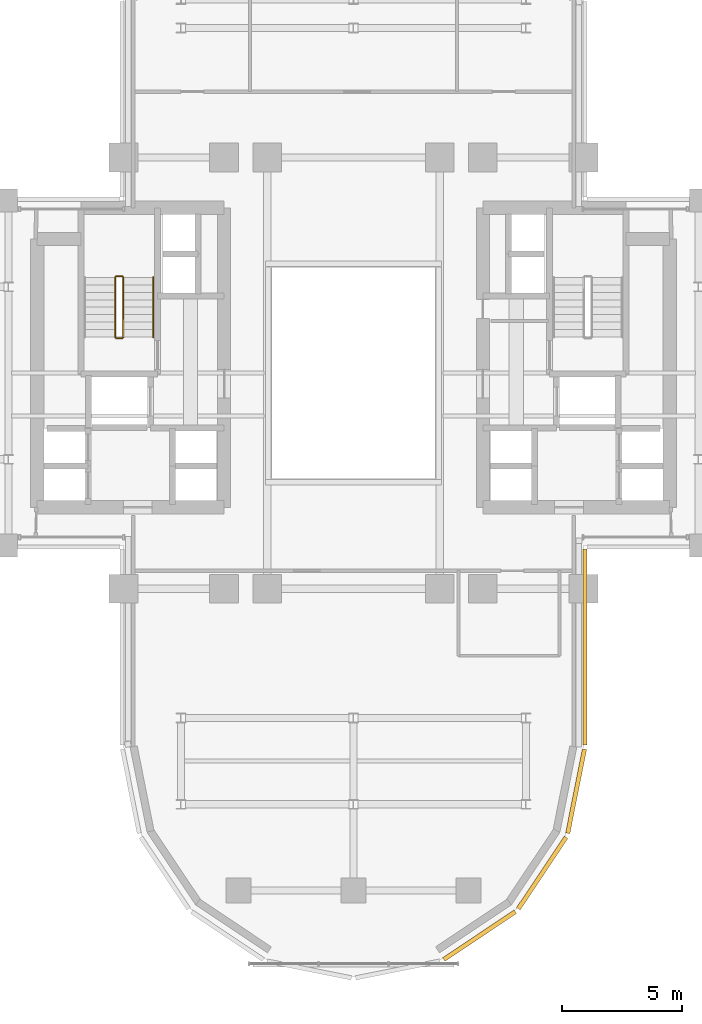
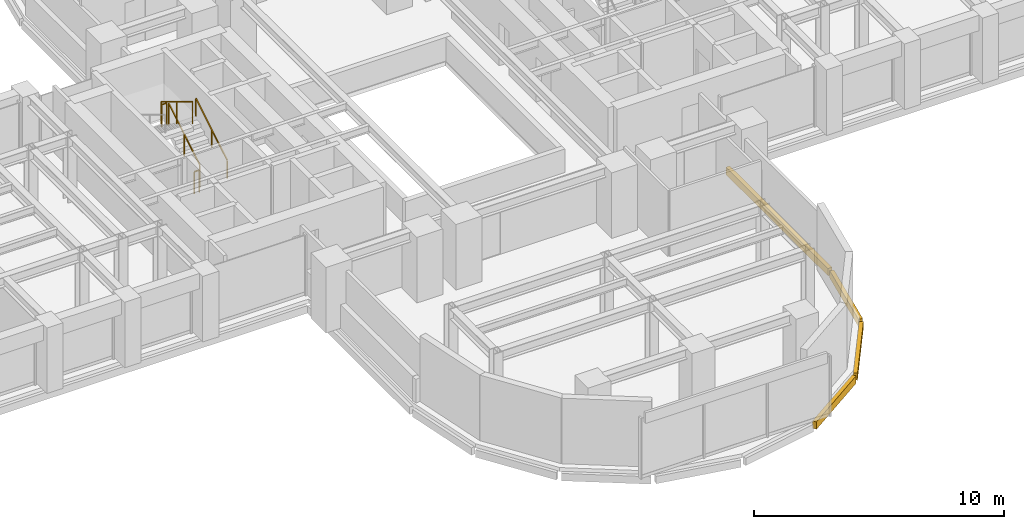
# One storey, part 14 of 16: 5 railings, 4 coverings.
"""IFC4 building model written with IfcOpenShell, lengths in metres."""

from ifc_helpers import new_model, si_unit, direction, frame, origin, origin_2d, place, context, subcontext, project, spatial, rectangle, extrude, source, transform, mapped, material, layer, layer_set, type_object, element, save


model = new_model("IFC4")

# Units and contexts
model_context = context("Model", 3, precision=1e-05, world=origin(), true_north=direction((0.0, 1.0)))
body_context = subcontext(model_context, "Body", "Model", "MODEL_VIEW")
ifc_project = project(units=[si_unit("LENGTHUNIT", "METRE"), si_unit("AREAUNIT", "SQUARE_METRE"), si_unit("VOLUMEUNIT", "CUBIC_METRE"), si_unit("PLANEANGLEUNIT", "RADIAN"), si_unit("MASSUNIT", "GRAM", prefix="KILO")], contexts=[model_context])

# Site, building, storey
site_placement = place(None, origin())
site = spatial("IfcSite", under=ifc_project, at=site_placement, CompositionType="ELEMENT")
building_placement = place(site_placement, origin())
building = spatial("IfcBuilding", under=site, at=building_placement, Name="Keilestroom Media Tower", CompositionType="ELEMENT")
storey_placement = place(building_placement, frame((0.0, 0.0, 68.0)))
storey = spatial("IfcBuildingStorey", under=building, at=storey_placement, Name="L17", CompositionType="ELEMENT", Elevation=68.0)

# Railings
ifc_material_1 = material(Name="Brushed Stainless Steel 1.4301", Category="steel")
railing_type_1 = type_object("IfcRailingType", Name="Stair-Pitch-Handrail-920", PredefinedType="HANDRAIL", material=ifc_material_1)
railing_1_placement = place(storey_placement, frame((-8.35009765625, 1.5, 0.18896484375)))
element("IfcRailing", 1, at=railing_1_placement, inside=storey, type_object=railing_type_1, Name="L17 ST-1 stair handrail 1", PredefinedType="HANDRAIL", context=body_context, shape_type="SweptSolid", body=[
    extrude(rectangle(XDim=0.048095703125, YDim=0.048095703125, at=origin_2d()), frame((0.0, 0.0, 0.8759765625), z_axis=(0.0, 0.855470815493, 0.517851024754), x_axis=(-1.0, 0.0, 0.0)), (0.0, 0.0, 1.0), 2.917724609375),
    extrude(rectangle(XDim=0.0419921875, YDim=0.0419921875, at=origin_2d()), origin(), (0.0, 0.0, 1.0), 0.84375),
    extrude(rectangle(XDim=0.0419921875, YDim=0.0419921875, at=origin_2d()), frame((0.0, 1.248046875, 0.75537109375)), (0.0, 0.0, 1.0), 0.84375),
    extrude(rectangle(XDim=0.0419921875, YDim=0.0419921875, at=origin_2d()), frame((0.0, 2.49609375, 1.510986328125)), (0.0, 0.0, 1.0), 0.84375),
])
ifc_material_2 = material(Name="Painted Steel Balustrade", Category="steel")
railing_type_2 = type_object("IfcRailingType", Name="Stair-Well-And-Landing-Guard-1100", PredefinedType="GUARDRAIL", material=ifc_material_2)
railing_2_placement = place(storey_placement, frame((-9.610107421875, 1.5, 0.18896484375)))
element("IfcRailing", 2, at=railing_2_placement, inside=storey, type_object=railing_type_2, Name="L17 ST-1 stair guard 1", PredefinedType="GUARDRAIL", context=body_context, shape_type="SweptSolid", body=[
    extrude(rectangle(XDim=0.048095703125, YDim=0.048095703125, at=origin_2d()), frame((0.0, 0.0, 1.076171875), z_axis=(0.0, 0.855470815493, 0.517851024754), x_axis=(-1.0, 0.0, 0.0)), (0.0, 0.0, 1.0), 2.917724609375),
    extrude(rectangle(XDim=0.0419921875, YDim=0.0419921875, at=origin_2d()), origin(), (0.0, 0.0, 1.0), 1.0439453125),
    extrude(rectangle(XDim=0.0419921875, YDim=0.0419921875, at=origin_2d()), frame((0.0, 1.248046875, 0.75537109375)), (0.0, 0.0, 1.0), 1.0439453125),
    extrude(rectangle(XDim=0.0419921875, YDim=0.0419921875, at=origin_2d()), frame((0.0, 2.49609375, 1.510986328125)), (0.0, 0.0, 1.0), 1.0439453125),
])
railing_3_placement = place(storey_placement, frame((-9.659912109375, 4.0458984375, 1.699951171875)))
element("IfcRailing", 3, at=railing_3_placement, inside=storey, type_object=railing_type_2, Name="L17 ST-1 stair guard 2", PredefinedType="GUARDRAIL", context=body_context, shape_type="SweptSolid", body=[
    extrude(rectangle(XDim=0.048095703125, YDim=0.048095703125, at=origin_2d()), frame((0.0, 0.0, 1.076171875), z_axis=(-1.0, 0.0, 0.0), x_axis=(0.0, -1.0, 0.0)), (0.0, 0.0, 1.0), 0.239990234375),
    extrude(rectangle(XDim=0.0419921875, YDim=0.0419921875, at=origin_2d()), origin(), (0.0, 0.0, 1.0), 1.0439453125),
    extrude(rectangle(XDim=0.0419921875, YDim=0.0419921875, at=origin_2d()), frame((-0.239990234375, 0.0, 0.0)), (0.0, 0.0, 1.0), 1.0439453125),
])
railing_4_placement = place(storey_placement, frame((-9.949951171875, 3.99609375, 1.888916015625)))
element("IfcRailing", 4, at=railing_4_placement, inside=storey, type_object=railing_type_2, Name="L17 ST-1 stair guard 3", PredefinedType="GUARDRAIL", context=body_context, shape_type="SweptSolid", body=[
    extrude(rectangle(XDim=0.048095703125, YDim=0.048095703125, at=origin_2d()), frame((0.0, 0.0, 1.076171875), z_axis=(0.0, -0.855470815493, 0.517851024754), x_axis=(1.0, 0.0, 0.0)), (0.0, 0.0, 1.0), 2.917724609375),
    extrude(rectangle(XDim=0.0419921875, YDim=0.0419921875, at=origin_2d()), origin(), (0.0, 0.0, 1.0), 1.0439453125),
    extrude(rectangle(XDim=0.0419921875, YDim=0.0419921875, at=origin_2d()), frame((0.0, -1.248046875, 0.75537109375)), (0.0, 0.0, 1.0), 1.0439453125),
    extrude(rectangle(XDim=0.0419921875, YDim=0.0419921875, at=origin_2d()), frame((0.0, -2.49609375, 1.510986328125)), (0.0, 0.0, 1.0), 1.0439453125),
])
railing_5_placement = place(storey_placement, frame((-9.659912109375, 1.449951171875, 0.0)))
element("IfcRailing", 5, at=railing_5_placement, inside=storey, type_object=railing_type_2, Name="L17 ST-1 stair guard 4", PredefinedType="GUARDRAIL", context=body_context, shape_type="SweptSolid", body=[
    extrude(rectangle(XDim=0.048095703125, YDim=0.048095703125, at=origin_2d()), frame((0.0, 0.0, 1.076171875), z_axis=(-1.0, 0.0, 0.0), x_axis=(0.0, -1.0, 0.0)), (0.0, 0.0, 1.0), 0.239990234375),
    extrude(rectangle(XDim=0.0419921875, YDim=0.0419921875, at=origin_2d()), origin(), (0.0, 0.0, 1.0), 1.0439453125),
    extrude(rectangle(XDim=0.0419921875, YDim=0.0419921875, at=origin_2d()), frame((-0.239990234375, 0.0, 0.0)), (0.0, 0.0, 1.0), 1.0439453125),
])

# Coverings
ifc_material_3 = material(Name="Precast concrete C40/50", Category="concrete")
ifc_layer = layer(ifc_material_3, 0.1201171875)
ifc_layer_set = layer_set([ifc_layer], Name="Precast concrete C40/50")
covering_type = type_object("IfcCoveringType", Name="Exterior-Precast-Spandrel-Cladding-Panel-120", PredefinedType="CLADDING", material=ifc_layer_set)
shared_shape_1 = source(origin(), body_context, "Body", "SweptSolid", [
    extrude(rectangle(XDim=8.166015625, YDim=0.179931640625, at=origin_2d()), origin(), (0.0, 0.0, 1.0), 0.360107421875),
])
covering_1_placement = place(storey_placement, frame((9.659912109375, -11.43310546875, -0.5400390625), z_axis=(0.0, 0.0, 1.0), x_axis=(0.0, -1.0, 0.0)))
element("IfcCovering", 6, at=covering_1_placement, inside=storey, type_object=covering_type, Name="L17 Precast Slab-Edge Fascia Cornice 06", PredefinedType="CLADDING", context=body_context, shape_type="MappedRepresentation", body=[
    mapped(shared_shape_1, transform((0.0, 0.0, 0.0), x_axis=(1.0, 0.0, 0.0), y_axis=(0.0, 1.0, 0.0), z_axis=(0.0, 0.0, 1.0), scale=1.0)),
])
shared_shape_2 = source(origin(), body_context, "Body", "SweptSolid", [
    extrude(rectangle(XDim=3.58349609375, YDim=0.179931640625, at=origin_2d()), origin(), (0.0, 0.0, 1.0), 0.360107421875),
])
covering_2_placement = place(storey_placement, frame((9.29296875, -17.45166015625, -0.5400390625), z_axis=(0.0, 0.0, 1.0), x_axis=(-0.195098880975, -0.980783577882, 0.0)))
element("IfcCovering", 7, at=covering_2_placement, inside=storey, type_object=covering_type, Name="L17 Precast Slab-Edge Fascia Cornice 07", PredefinedType="CLADDING", context=body_context, shape_type="MappedRepresentation", body=[
    mapped(shared_shape_2, transform((0.0, 0.0, 0.0), x_axis=(1.0, 0.0, 0.0), y_axis=(0.0, 1.0, 0.0), z_axis=(0.0, 0.0, 1.0), scale=1.0)),
])
shared_shape_3 = source(origin(), body_context, "Body", "SweptSolid", [
    extrude(rectangle(XDim=3.589599609375, YDim=0.179931640625, at=origin_2d()), origin(), (0.0, 0.0, 1.0), 0.360107421875),
])
for number, where, z_axis, x_axis, name in (
    (8, (7.878662109375, -20.8642578125, -0.5400390625), (0.0, 0.0, 1.0), (-0.555574586577, -0.831466703332, 0.0), "L17 Precast Slab-Edge Fascia Cornice 08"),
    (9, (5.264404296875, -23.478515625, -0.5400390625), (0.0, 0.0, 1.0), (-0.831466703332, -0.555574586577, 0.0), "L17 Precast Slab-Edge Fascia Cornice 09"),
):
    element("IfcCovering", number, at=place(storey_placement, frame(where, z_axis=z_axis, x_axis=x_axis)), inside=storey, type_object=covering_type, Name=name, PredefinedType="CLADDING", context=body_context, shape_type="MappedRepresentation", body=[
        mapped(shared_shape_3, transform((0.0, 0.0, 0.0), x_axis=(1.0, 0.0, 0.0), y_axis=(0.0, 1.0, 0.0), z_axis=(0.0, 0.0, 1.0), scale=1.0)),
    ])

save(model, "model.ifc")
